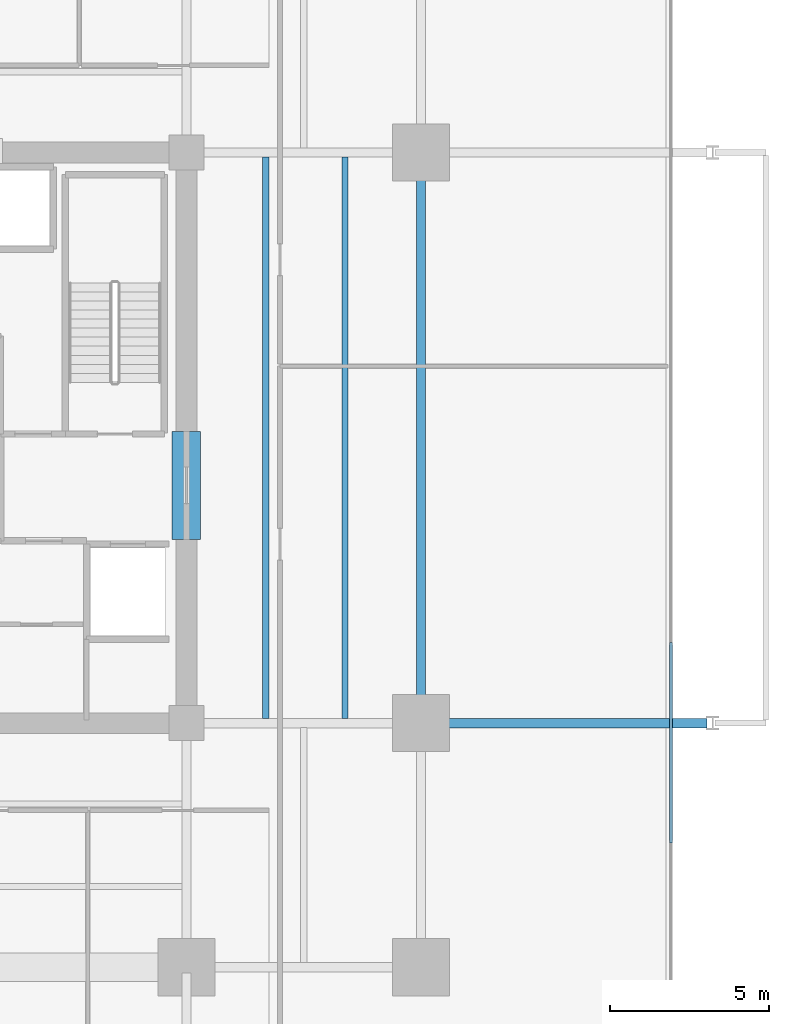
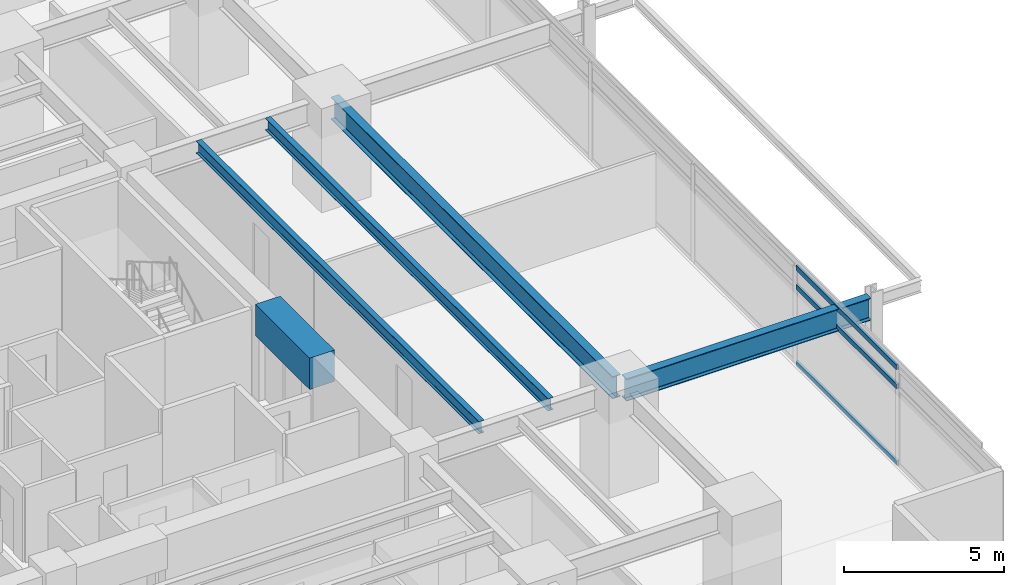
# One storey, part 7 of 19: 5 beams, 3 members, 1 element without a shape of its own.
"""IFC4 building model written with IfcOpenShell, lengths in metres."""

from ifc_helpers import new_model, si_unit, direction, frame, origin, origin_2d, place, context, subcontext, project, spatial, rectangle, hollow_rectangle, i_section, extrude, material, material_profile, profile_set, type_object, element, aggregate, save


model = new_model("IFC4")

# Units and contexts
model_context = context("Model", 3, precision=1e-05, world=origin(), true_north=direction((0.0, 1.0)))
body_context = subcontext(model_context, "Body", "Model", "MODEL_VIEW")
ifc_project = project(units=[si_unit("LENGTHUNIT", "METRE"), si_unit("AREAUNIT", "SQUARE_METRE"), si_unit("VOLUMEUNIT", "CUBIC_METRE"), si_unit("PLANEANGLEUNIT", "RADIAN"), si_unit("MASSUNIT", "GRAM", prefix="KILO")], contexts=[model_context])

# Site, building, storey
site_placement = place(None, origin())
site = spatial("IfcSite", under=ifc_project, at=site_placement, CompositionType="ELEMENT")
building_placement = place(site_placement, origin())
building = spatial("IfcBuilding", under=site, at=building_placement, Name="Kovane Verandah Tower", CompositionType="ELEMENT")
storey_placement = place(building_placement, frame((0.0, 0.0, 83.60009765625)))
storey = spatial("IfcBuildingStorey", under=building, at=storey_placement, Name="L19", CompositionType="ELEMENT", Elevation=83.60009765625)

# Beams
ifc_material_1 = material(Name="Concrete C80/95", Category="concrete")
ifc_material_profile_1 = material_profile(ifc_material_1, rectangle(XDim=0.89990234375, YDim=1.199951171875, at=origin_2d()), Name="RCB900x1200")
ifc_profile_set_1 = profile_set([ifc_material_profile_1], Name="Concrete C80/95")
beam_type_1 = type_object("IfcBeamType", Name="BM-LINTEL-900x1200", PredefinedType="LINTEL", material=ifc_profile_set_1)
beam_1_placement = place(storey_placement, frame((51.0, 24.300048828125, 3.159912109375), z_axis=(0.0, 1.0, 0.0), x_axis=(-1.0, 0.0, 0.0)))
element("IfcBeam", 1, at=beam_1_placement, inside=storey, type_object=beam_type_1, Name="L19 Core Coupling Lintel CL-E", PredefinedType="LINTEL", context=body_context, shape_type="SweptSolid", body=[
    extrude(rectangle(XDim=0.89990234375, YDim=1.199951171875, at=origin_2d()), origin(), (0.0, 0.0, 1.0), 3.39990234375),
])
ifc_material_2 = material(Name="Steel S355", Category="steel")
ifc_material_profile_2 = material_profile(ifc_material_2, i_section(OverallWidth=0.293701171875, OverallDepth=0.850830078125, WebThickness=0.01611328125, FlangeThickness=0.02685546875, FilletRadius=0.017822265625, at=origin_2d()), Name="UB838x292x226")
ifc_profile_set_2 = profile_set([ifc_material_profile_2], Name="Steel S355")
beam_type_2 = type_object("IfcBeamType", Name="BM-UB838x226", PredefinedType="BEAM", material=ifc_profile_set_2)
beam_2_placement = place(storey_placement, frame((58.39990234375, 18.679931640625, 3.33447265625), z_axis=(0.0, 1.0, 0.0), x_axis=(-1.0, 0.0, 0.0)))
element("IfcBeam", 2, at=beam_2_placement, inside=storey, type_object=beam_type_2, Name="L19 Primary Tower Girder G-RE2", PredefinedType="BEAM", context=body_context, shape_type="SweptSolid", body=[
    extrude(i_section(OverallWidth=0.293701171875, OverallDepth=0.850830078125, WebThickness=0.01611328125, FlangeThickness=0.02685546875, FilletRadius=0.017822265625, at=origin_2d()), origin(), (0.0, 0.0, 1.0), 17.64013671875),
])
beam_3_placement = place(storey_placement, frame((58.580078125, 18.5, 3.33447265625), z_axis=(1.0, 0.0, 0.0), x_axis=(0.0, 1.0, 0.0)))
element("IfcBeam", 3, at=beam_3_placement, inside=storey, type_object=beam_type_2, Name="L19 Primary Tower Girder G-VE1", PredefinedType="BEAM", context=body_context, shape_type="SweptSolid", body=[
    extrude(i_section(OverallWidth=0.293701171875, OverallDepth=0.850830078125, WebThickness=0.01611328125, FlangeThickness=0.02685546875, FilletRadius=0.017822265625, at=origin_2d()), origin(), (0.0, 0.0, 1.0), 8.83984375),
])

# Curtain wall, members
ifc_material_3 = material(Name="Champagne Anodised Aluminium Frame with Low-E Clear Laminated Glass", Category="aluminium")
curtain_wall_type = type_object("IfcCurtainWallType", Name="CW-SYS-02-LOW", PredefinedType="NOTDEFINED", material=ifc_material_3)
curtain_wall_placement = place(storey_placement, origin())
curtain_wall = element("IfcCurtainWall", 4, at=curtain_wall_placement, inside=storey, type_object=curtain_wall_type, Name="L19 E Unitised Curtain Wall", PredefinedType="NOTDEFINED")
ifc_material_4 = material(Name="Champagne Anodised Aluminium 6063-T6", Category="aluminium")
ifc_material_profile_3 = material_profile(ifc_material_4, hollow_rectangle(XDim=0.0849609375, YDim=0.18994140625, WallThickness=0.00390625, at=origin_2d()), Name="AL85x190x4")
ifc_profile_set_3 = profile_set([ifc_material_profile_3], Name="Champagne Anodised Aluminium 6063-T6")
member_type = type_object("IfcMemberType", Name="CW-TRN-85x190", PredefinedType="USERDEFINED", material=ifc_profile_set_3)
member_1_placement = place(storey_placement, frame((66.28466796875, 14.723876953125, 0.0498046875), z_axis=(0.0, 1.0, 0.0), x_axis=(-1.0, 0.0, 0.0)))
member_1 = element("IfcMember", 5, at=member_1_placement, type_object=member_type, Name="L19 E Unitised Curtain Wall Transom TB Bay 2", ObjectType="TRANSOM", PredefinedType="USERDEFINED", context=body_context, shape_type="SweptSolid", body=[
    extrude(hollow_rectangle(XDim=0.0849609375, YDim=0.18994140625, WallThickness=0.00390625, at=origin_2d()), origin(), (0.0, 0.0, 1.0), 6.31298828125),
])
member_2_placement = place(storey_placement, frame((66.28466796875, 14.723876953125, 2.97998046875), z_axis=(0.0, 1.0, 0.0), x_axis=(-1.0, 0.0, 0.0)))
member_2 = element("IfcMember", 6, at=member_2_placement, type_object=member_type, Name="L19 E Unitised Curtain Wall Transom TM Bay 2", ObjectType="TRANSOM", PredefinedType="USERDEFINED", context=body_context, shape_type="SweptSolid", body=[
    extrude(hollow_rectangle(XDim=0.0849609375, YDim=0.18994140625, WallThickness=0.00390625, at=origin_2d()), origin(), (0.0, 0.0, 1.0), 6.31298828125),
])
member_3_placement = place(storey_placement, frame((66.28466796875, 14.723876953125, 3.7099609375), z_axis=(0.0, 1.0, 0.0), x_axis=(-1.0, 0.0, 0.0)))
member_3 = element("IfcMember", 7, at=member_3_placement, type_object=member_type, Name="L19 E Unitised Curtain Wall Transom TT Bay 2", ObjectType="TRANSOM", PredefinedType="USERDEFINED", context=body_context, shape_type="SweptSolid", body=[
    extrude(hollow_rectangle(XDim=0.0849609375, YDim=0.18994140625, WallThickness=0.00390625, at=origin_2d()), origin(), (0.0, 0.0, 1.0), 6.31298828125),
])
aggregate(curtain_wall, [member_1, member_2, member_3])

# Beams
ifc_material_profile_4 = material_profile(ifc_material_2, i_section(OverallWidth=0.19287109375, OverallDepth=0.46728515625, WebThickness=0.011474609375, FlangeThickness=0.01953125, FilletRadius=0.01025390625, at=origin_2d()), Name="UB457x191x98")
ifc_profile_set_4 = profile_set([ifc_material_profile_4], Name="Steel S355")
beam_type_3 = type_object("IfcBeamType", Name="JST-UB457x98", PredefinedType="JOIST", material=ifc_profile_set_4)
for number, where, z_axis, x_axis, name in (
    (8, (53.5, 18.64501953125, 3.5263671875), (0.0, 1.0, 0.0), (-1.0, 0.0, 0.0), "L19 Secondary Composite Joist J-E1"),
    (9, (56.0, 18.64501953125, 3.5263671875), (0.0, 1.0, 0.0), (-1.0, 0.0, 0.0), "L19 Secondary Composite Joist J-E2"),
):
    element("IfcBeam", number, at=place(storey_placement, frame(where, z_axis=z_axis, x_axis=x_axis)), inside=storey, type_object=beam_type_3, Name=name, PredefinedType="JOIST", context=body_context, shape_type="SweptSolid", body=[
        extrude(i_section(OverallWidth=0.19287109375, OverallDepth=0.46728515625, WebThickness=0.011474609375, FlangeThickness=0.01953125, FilletRadius=0.01025390625, at=origin_2d()), origin(), (0.0, 0.0, 1.0), 17.7099609375),
    ])

save(model, "model.ifc")
